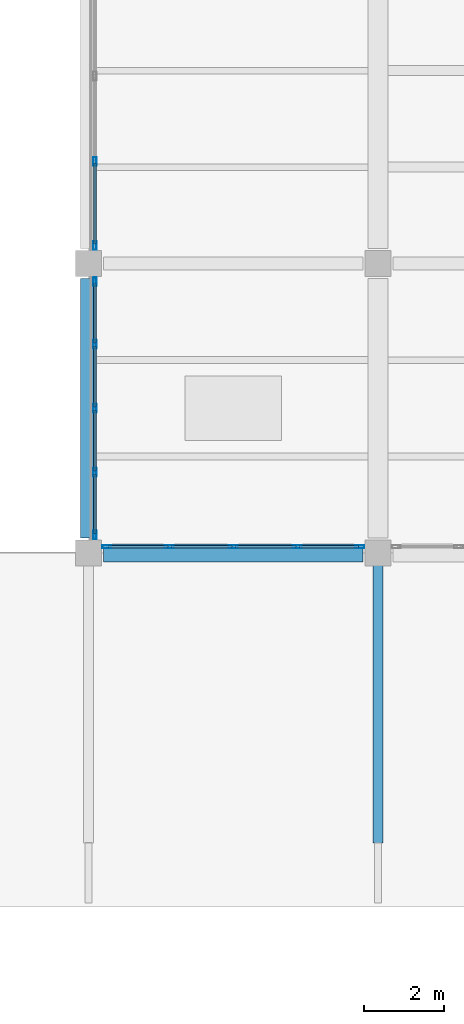
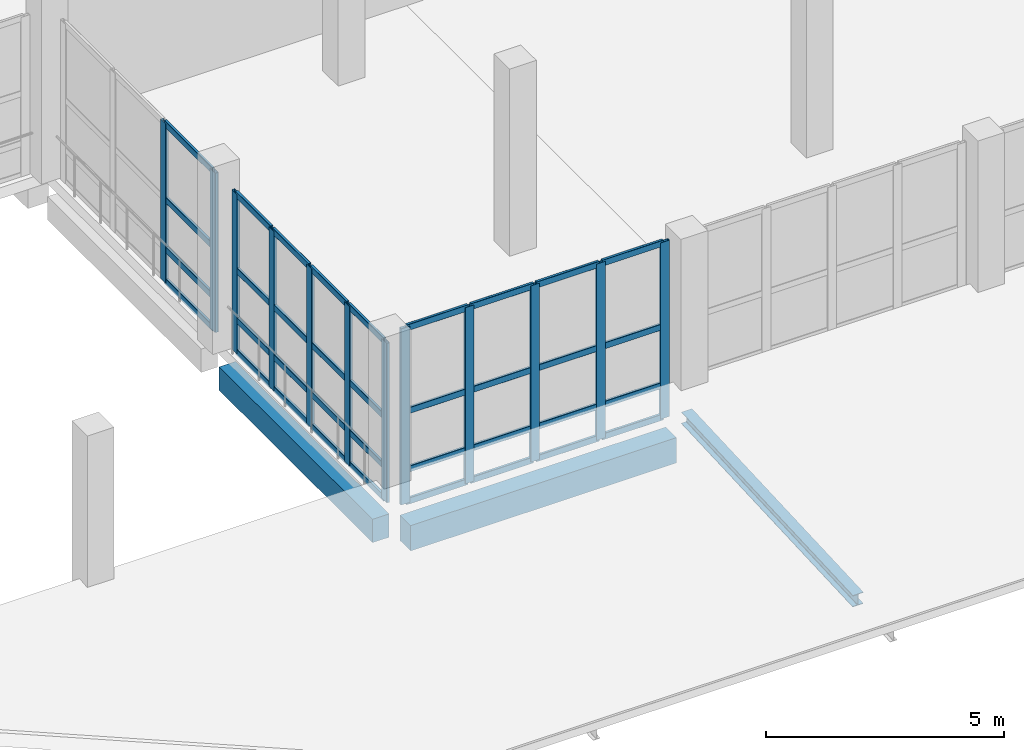
# One storey, part 27 of 127: 48 members, 3 beams, 3 elements without a shape of their own.
"""IFC4 building model written with IfcOpenShell, lengths in metres."""

from ifc_helpers import new_model, si_unit, direction, frame, origin, origin_2d, place, context, subcontext, project, spatial, rectangle, hollow_rectangle, i_section, extrude, material, material_profile, profile_set, type_object, element, aggregate, save


model = new_model("IFC4")

# Units and contexts
model_context = context("Model", 3, precision=1e-05, world=origin(), true_north=direction((0.0, 1.0)))
body_context = subcontext(model_context, "Body", "Model", "MODEL_VIEW")
ifc_project = project(units=[si_unit("LENGTHUNIT", "METRE"), si_unit("AREAUNIT", "SQUARE_METRE"), si_unit("VOLUMEUNIT", "CUBIC_METRE"), si_unit("PLANEANGLEUNIT", "RADIAN"), si_unit("MASSUNIT", "GRAM", prefix="KILO")], contexts=[model_context])

# Site, building, storey
site_placement = place(None, origin())
site = spatial("IfcSite", under=ifc_project, at=site_placement, CompositionType="ELEMENT")
building_placement = place(site_placement, origin())
building = spatial("IfcBuilding", under=site, at=building_placement, Name="Kalmorath City Hall", CompositionType="ELEMENT")
storey_placement = place(building_placement, frame((0.0, 0.0, 5.39990234375)))
storey = spatial("IfcBuildingStorey", under=building, at=storey_placement, Name="L01", CompositionType="ELEMENT", Elevation=5.39990234375)

# Beams
ifc_material_1 = material(Name="Concrete C40/50", Category="concrete")
ifc_material_profile_1 = material_profile(ifc_material_1, rectangle(XDim=0.39990234375, YDim=0.60009765625, at=origin_2d()), Name="RC-BM-400X600")
ifc_profile_set_1 = profile_set([ifc_material_profile_1], Name="Concrete C40/50")
beam_type_1 = type_object("IfcBeamType", Name="Concrete edge beam 400x600", PredefinedType="SPANDREL", material=ifc_profile_set_1)
beam_1_placement = place(storey_placement, frame((79.199951171875, 21.97509765625, -0.6240234375), z_axis=(0.0, 1.0, 0.0), x_axis=(-1.0, 0.0, 0.0)))
element("IfcBeam", 1, at=beam_1_placement, inside=storey, type_object=beam_type_1, Name="L01 girder CB6 Y12/4-5", PredefinedType="SPANDREL", context=body_context, shape_type="SweptSolid", body=[
    extrude(rectangle(XDim=0.39990234375, YDim=0.60009765625, at=origin_2d()), origin(), (0.0, 0.0, 1.0), 6.449951171875),
])
ifc_material_2 = material(Name="Concrete C40/50", Category="concrete")
ifc_material_profile_2 = material_profile(ifc_material_2, rectangle(XDim=0.449951171875, YDim=0.64990234375, at=origin_2d()), Name="RC-BM-450X650")
ifc_profile_set_2 = profile_set([ifc_material_profile_2], Name="Concrete C40/50")
beam_type_2 = type_object("IfcBeamType", Name="Concrete spandrel beam 450x650", PredefinedType="SPANDREL", material=ifc_profile_set_2)
beam_2_placement = place(storey_placement, frame((79.574951171875, 21.60009765625, -0.64892578125), z_axis=(1.0, 0.0, 0.0), x_axis=(0.0, 1.0, 0.0)))
element("IfcBeam", 2, at=beam_2_placement, inside=storey, type_object=beam_type_2, Name="L01 girder CB5 X12-13/4", PredefinedType="SPANDREL", context=body_context, shape_type="SweptSolid", body=[
    extrude(rectangle(XDim=0.449951171875, YDim=0.64990234375, at=origin_2d()), origin(), (0.0, 0.0, 1.0), 6.449951171875),
])

# Curtain wall, members
ifc_material_3 = material(Name="Anodised aluminium and laminated glass", Category="aluminium")
curtain_wall_type_1 = type_object("IfcCurtainWallType", Name="Unitised hurricane curtain wall 6370x4520 M1500", PredefinedType="NOTDEFINED", material=ifc_material_3)
curtain_wall_1_placement = place(storey_placement, origin())
curtain_wall_1 = element("IfcCurtainWall", 3, at=curtain_wall_1_placement, inside=storey, type_object=curtain_wall_type_1, Name="L01 curtain wall CW-64X45M15 #71", PredefinedType="NOTDEFINED")
ifc_material_4 = material(Name="Anodised aluminium framing", Category="aluminium")
ifc_material_profile_3 = material_profile(ifc_material_4, hollow_rectangle(XDim=0.074951171875, YDim=0.219970703125, WallThickness=0.00390625, InnerFilletRadius=0.00390625, OuterFilletRadius=0.008056640625, at=origin_2d()), Name="ALU-MUL-220X75X4")
ifc_profile_set_3 = profile_set([ifc_material_profile_3], Name="Anodised aluminium framing")
member_type_1 = type_object("IfcMemberType", Name="Curtain-wall primary mullion 220x75", PredefinedType="MULLION", material=ifc_profile_set_3)
member_1_placement = place(storey_placement, frame((85.947509765625, 21.760009765625, 0.0), z_axis=(0.0, 0.0, 1.0), x_axis=(0.0, -1.0, 0.0)))
member_1 = element("IfcMember", 4, at=member_1_placement, type_object=member_type_1, Name="CW-64X45M15 mullion 1", PredefinedType="MULLION", context=body_context, shape_type="SweptSolid", body=[
    extrude(hollow_rectangle(XDim=0.074951171875, YDim=0.219970703125, WallThickness=0.00390625, InnerFilletRadius=0.00390625, OuterFilletRadius=0.008056640625, at=origin_2d()), origin(), (0.0, 0.0, 1.0), 4.52001953125),
])
member_2_placement = place(storey_placement, frame((84.392578125, 21.760009765625, 0.0), z_axis=(0.0, 0.0, 1.0), x_axis=(0.0, -1.0, 0.0)))
member_2 = element("IfcMember", 5, at=member_2_placement, type_object=member_type_1, Name="CW-64X45M15 mullion 2", PredefinedType="MULLION", context=body_context, shape_type="SweptSolid", body=[
    extrude(hollow_rectangle(XDim=0.074951171875, YDim=0.219970703125, WallThickness=0.00390625, InnerFilletRadius=0.00390625, OuterFilletRadius=0.008056640625, at=origin_2d()), origin(), (0.0, 0.0, 1.0), 4.52001953125),
])
member_3_placement = place(storey_placement, frame((82.800048828125, 21.760009765625, 0.0), z_axis=(0.0, 0.0, 1.0), x_axis=(0.0, -1.0, 0.0)))
member_3 = element("IfcMember", 6, at=member_3_placement, type_object=member_type_1, Name="CW-64X45M15 mullion 3", PredefinedType="MULLION", context=body_context, shape_type="SweptSolid", body=[
    extrude(hollow_rectangle(XDim=0.074951171875, YDim=0.219970703125, WallThickness=0.00390625, InnerFilletRadius=0.00390625, OuterFilletRadius=0.008056640625, at=origin_2d()), origin(), (0.0, 0.0, 1.0), 4.52001953125),
])
member_4_placement = place(storey_placement, frame((81.20751953125, 21.760009765625, 0.0), z_axis=(0.0, 0.0, 1.0), x_axis=(0.0, -1.0, 0.0)))
member_4 = element("IfcMember", 7, at=member_4_placement, type_object=member_type_1, Name="CW-64X45M15 mullion 4", PredefinedType="MULLION", context=body_context, shape_type="SweptSolid", body=[
    extrude(hollow_rectangle(XDim=0.074951171875, YDim=0.219970703125, WallThickness=0.00390625, InnerFilletRadius=0.00390625, OuterFilletRadius=0.008056640625, at=origin_2d()), origin(), (0.0, 0.0, 1.0), 4.52001953125),
])
member_5_placement = place(storey_placement, frame((79.652587890625, 21.760009765625, 0.0), z_axis=(0.0, 0.0, 1.0), x_axis=(0.0, -1.0, 0.0)))
member_5 = element("IfcMember", 8, at=member_5_placement, type_object=member_type_1, Name="CW-64X45M15 mullion 5", PredefinedType="MULLION", context=body_context, shape_type="SweptSolid", body=[
    extrude(hollow_rectangle(XDim=0.074951171875, YDim=0.219970703125, WallThickness=0.00390625, InnerFilletRadius=0.00390625, OuterFilletRadius=0.008056640625, at=origin_2d()), origin(), (0.0, 0.0, 1.0), 4.52001953125),
])

ifc_material_5 = material(Name="Anodised aluminium and laminated glass", Category="aluminium")
curtain_wall_type_2 = type_object("IfcCurtainWallType", Name="Unitised hurricane curtain wall 6370x4090 M1500", PredefinedType="NOTDEFINED", material=ifc_material_5)
curtain_wall_2_placement = place(storey_placement, origin())
curtain_wall_2 = element("IfcCurtainWall", 9, at=curtain_wall_2_placement, inside=storey, type_object=curtain_wall_type_2, Name="L01 curtain wall CW-64X41M15 #72", PredefinedType="NOTDEFINED")
member_6_placement = place(storey_placement, frame((79.360107421875, 22.052490234375, 0.0), z_axis=(0.0, 0.0, 1.0), x_axis=(-1.0, 0.0, 0.0)))
member_6 = element("IfcMember", 10, at=member_6_placement, type_object=member_type_1, Name="CW-64X41M15 mullion 1", PredefinedType="MULLION", context=body_context, shape_type="SweptSolid", body=[
    extrude(hollow_rectangle(XDim=0.074951171875, YDim=0.219970703125, WallThickness=0.00390625, InnerFilletRadius=0.00390625, OuterFilletRadius=0.008056640625, at=origin_2d()), origin(), (0.0, 0.0, 1.0), 4.090087890625),
])
member_7_placement = place(storey_placement, frame((79.360107421875, 23.607421875, 0.0), z_axis=(0.0, 0.0, 1.0), x_axis=(-1.0, 0.0, 0.0)))
member_7 = element("IfcMember", 11, at=member_7_placement, type_object=member_type_1, Name="CW-64X41M15 mullion 2", PredefinedType="MULLION", context=body_context, shape_type="SweptSolid", body=[
    extrude(hollow_rectangle(XDim=0.074951171875, YDim=0.219970703125, WallThickness=0.00390625, InnerFilletRadius=0.00390625, OuterFilletRadius=0.008056640625, at=origin_2d()), origin(), (0.0, 0.0, 1.0), 4.090087890625),
])
member_8_placement = place(storey_placement, frame((79.360107421875, 25.199951171875, 0.0), z_axis=(0.0, 0.0, 1.0), x_axis=(-1.0, 0.0, 0.0)))
member_8 = element("IfcMember", 12, at=member_8_placement, type_object=member_type_1, Name="CW-64X41M15 mullion 3", PredefinedType="MULLION", context=body_context, shape_type="SweptSolid", body=[
    extrude(hollow_rectangle(XDim=0.074951171875, YDim=0.219970703125, WallThickness=0.00390625, InnerFilletRadius=0.00390625, OuterFilletRadius=0.008056640625, at=origin_2d()), origin(), (0.0, 0.0, 1.0), 4.090087890625),
])
member_9_placement = place(storey_placement, frame((79.360107421875, 26.79248046875, 0.0), z_axis=(0.0, 0.0, 1.0), x_axis=(-1.0, 0.0, 0.0)))
member_9 = element("IfcMember", 13, at=member_9_placement, type_object=member_type_1, Name="CW-64X41M15 mullion 4", PredefinedType="MULLION", context=body_context, shape_type="SweptSolid", body=[
    extrude(hollow_rectangle(XDim=0.074951171875, YDim=0.219970703125, WallThickness=0.00390625, InnerFilletRadius=0.00390625, OuterFilletRadius=0.008056640625, at=origin_2d()), origin(), (0.0, 0.0, 1.0), 4.090087890625),
])
member_10_placement = place(storey_placement, frame((79.360107421875, 28.347412109375, 0.0), z_axis=(0.0, 0.0, 1.0), x_axis=(-1.0, 0.0, 0.0)))
member_10 = element("IfcMember", 14, at=member_10_placement, type_object=member_type_1, Name="CW-64X41M15 mullion 5", PredefinedType="MULLION", context=body_context, shape_type="SweptSolid", body=[
    extrude(hollow_rectangle(XDim=0.074951171875, YDim=0.219970703125, WallThickness=0.00390625, InnerFilletRadius=0.00390625, OuterFilletRadius=0.008056640625, at=origin_2d()), origin(), (0.0, 0.0, 1.0), 4.090087890625),
])

ifc_material_6 = material(Name="Anodised aluminium and laminated glass", Category="aluminium")
curtain_wall_type_3 = type_object("IfcCurtainWallType", Name="Unitised hurricane curtain wall 6370x4090 M2100", PredefinedType="NOTDEFINED", material=ifc_material_6)
curtain_wall_3_placement = place(storey_placement, origin())
curtain_wall_3 = element("IfcCurtainWall", 15, at=curtain_wall_3_placement, inside=storey, type_object=curtain_wall_type_3, Name="L01 curtain wall CW-64X41M21 #73", PredefinedType="NOTDEFINED")
member_11_placement = place(storey_placement, frame((79.360107421875, 29.25244140625, 0.0), z_axis=(0.0, 0.0, 1.0), x_axis=(-1.0, 0.0, 0.0)))
member_11 = element("IfcMember", 16, at=member_11_placement, type_object=member_type_1, Name="CW-64X41M21 mullion 1", PredefinedType="MULLION", context=body_context, shape_type="SweptSolid", body=[
    extrude(hollow_rectangle(XDim=0.074951171875, YDim=0.219970703125, WallThickness=0.00390625, InnerFilletRadius=0.00390625, OuterFilletRadius=0.008056640625, at=origin_2d()), origin(), (0.0, 0.0, 1.0), 4.090087890625),
])
member_12_placement = place(storey_placement, frame((79.360107421875, 31.33837890625, 0.0), z_axis=(0.0, 0.0, 1.0), x_axis=(-1.0, 0.0, 0.0)))
member_12 = element("IfcMember", 17, at=member_12_placement, type_object=member_type_1, Name="CW-64X41M21 mullion 2", PredefinedType="MULLION", context=body_context, shape_type="SweptSolid", body=[
    extrude(hollow_rectangle(XDim=0.074951171875, YDim=0.219970703125, WallThickness=0.00390625, InnerFilletRadius=0.00390625, OuterFilletRadius=0.008056640625, at=origin_2d()), origin(), (0.0, 0.0, 1.0), 4.090087890625),
])

# Member
ifc_material_7 = material(Name="Anodised aluminium framing", Category="aluminium")
ifc_material_profile_4 = material_profile(ifc_material_7, hollow_rectangle(XDim=0.06494140625, YDim=0.159912109375, WallThickness=0.00390625, InnerFilletRadius=0.00390625, OuterFilletRadius=0.008056640625, at=origin_2d()), Name="ALU-TRN-160X65X4")
ifc_profile_set_4 = profile_set([ifc_material_profile_4], Name="Anodised aluminium framing")
member_type_2 = type_object("IfcMemberType", Name="Curtain-wall primary transom 160x65", PredefinedType="USERDEFINED", material=ifc_profile_set_4)
member_13_placement = place(storey_placement, frame((85.909912109375, 21.760009765625, 0.03271484375), z_axis=(-1.0, 0.0, 0.0), x_axis=(0.0, -1.0, 0.0)))
member_13 = element("IfcMember", 18, at=member_13_placement, type_object=member_type_2, Name="CW-64X45M15 transom 1.1", ObjectType="TRANSOM", PredefinedType="USERDEFINED", context=body_context, shape_type="SweptSolid", body=[
    extrude(hollow_rectangle(XDim=0.06494140625, YDim=0.159912109375, WallThickness=0.00390625, InnerFilletRadius=0.00390625, OuterFilletRadius=0.008056640625, at=origin_2d()), origin(), (0.0, 0.0, 1.0), 1.47998046875),
])

member_14_placement = place(storey_placement, frame((85.909912109375, 21.760009765625, 0.85009765625), z_axis=(-1.0, 0.0, 0.0), x_axis=(0.0, -1.0, 0.0)))
member_14 = element("IfcMember", 19, at=member_14_placement, type_object=member_type_2, Name="CW-64X45M15 transom 1.2", ObjectType="TRANSOM", PredefinedType="USERDEFINED", context=body_context, shape_type="SweptSolid", body=[
    extrude(hollow_rectangle(XDim=0.06494140625, YDim=0.159912109375, WallThickness=0.00390625, InnerFilletRadius=0.00390625, OuterFilletRadius=0.008056640625, at=origin_2d()), origin(), (0.0, 0.0, 1.0), 1.47998046875),
])

member_15_placement = place(storey_placement, frame((85.909912109375, 21.760009765625, 2.35009765625), z_axis=(-1.0, 0.0, 0.0), x_axis=(0.0, -1.0, 0.0)))
member_15 = element("IfcMember", 20, at=member_15_placement, type_object=member_type_2, Name="CW-64X45M15 transom 1.3", ObjectType="TRANSOM", PredefinedType="USERDEFINED", context=body_context, shape_type="SweptSolid", body=[
    extrude(hollow_rectangle(XDim=0.06494140625, YDim=0.159912109375, WallThickness=0.00390625, InnerFilletRadius=0.00390625, OuterFilletRadius=0.008056640625, at=origin_2d()), origin(), (0.0, 0.0, 1.0), 1.47998046875),
])

member_16_placement = place(storey_placement, frame((85.909912109375, 21.760009765625, 4.487548828125), z_axis=(-1.0, 0.0, 0.0), x_axis=(0.0, -1.0, 0.0)))
member_16 = element("IfcMember", 21, at=member_16_placement, type_object=member_type_2, Name="CW-64X45M15 transom 1.4", ObjectType="TRANSOM", PredefinedType="USERDEFINED", context=body_context, shape_type="SweptSolid", body=[
    extrude(hollow_rectangle(XDim=0.06494140625, YDim=0.159912109375, WallThickness=0.00390625, InnerFilletRadius=0.00390625, OuterFilletRadius=0.008056640625, at=origin_2d()), origin(), (0.0, 0.0, 1.0), 1.47998046875),
])

member_17_placement = place(storey_placement, frame((84.35498046875, 21.760009765625, 0.03271484375), z_axis=(-1.0, 0.0, 0.0), x_axis=(0.0, -1.0, 0.0)))
member_17 = element("IfcMember", 22, at=member_17_placement, type_object=member_type_2, Name="CW-64X45M15 transom 2.1", ObjectType="TRANSOM", PredefinedType="USERDEFINED", context=body_context, shape_type="SweptSolid", body=[
    extrude(hollow_rectangle(XDim=0.06494140625, YDim=0.159912109375, WallThickness=0.00390625, InnerFilletRadius=0.00390625, OuterFilletRadius=0.008056640625, at=origin_2d()), origin(), (0.0, 0.0, 1.0), 1.517578125),
])

member_18_placement = place(storey_placement, frame((84.35498046875, 21.760009765625, 0.85009765625), z_axis=(-1.0, 0.0, 0.0), x_axis=(0.0, -1.0, 0.0)))
member_18 = element("IfcMember", 23, at=member_18_placement, type_object=member_type_2, Name="CW-64X45M15 transom 2.2", ObjectType="TRANSOM", PredefinedType="USERDEFINED", context=body_context, shape_type="SweptSolid", body=[
    extrude(hollow_rectangle(XDim=0.06494140625, YDim=0.159912109375, WallThickness=0.00390625, InnerFilletRadius=0.00390625, OuterFilletRadius=0.008056640625, at=origin_2d()), origin(), (0.0, 0.0, 1.0), 1.517578125),
])

member_19_placement = place(storey_placement, frame((84.35498046875, 21.760009765625, 2.35009765625), z_axis=(-1.0, 0.0, 0.0), x_axis=(0.0, -1.0, 0.0)))
member_19 = element("IfcMember", 24, at=member_19_placement, type_object=member_type_2, Name="CW-64X45M15 transom 2.3", ObjectType="TRANSOM", PredefinedType="USERDEFINED", context=body_context, shape_type="SweptSolid", body=[
    extrude(hollow_rectangle(XDim=0.06494140625, YDim=0.159912109375, WallThickness=0.00390625, InnerFilletRadius=0.00390625, OuterFilletRadius=0.008056640625, at=origin_2d()), origin(), (0.0, 0.0, 1.0), 1.517578125),
])

member_20_placement = place(storey_placement, frame((84.35498046875, 21.760009765625, 4.487548828125), z_axis=(-1.0, 0.0, 0.0), x_axis=(0.0, -1.0, 0.0)))
member_20 = element("IfcMember", 25, at=member_20_placement, type_object=member_type_2, Name="CW-64X45M15 transom 2.4", ObjectType="TRANSOM", PredefinedType="USERDEFINED", context=body_context, shape_type="SweptSolid", body=[
    extrude(hollow_rectangle(XDim=0.06494140625, YDim=0.159912109375, WallThickness=0.00390625, InnerFilletRadius=0.00390625, OuterFilletRadius=0.008056640625, at=origin_2d()), origin(), (0.0, 0.0, 1.0), 1.517578125),
])

member_21_placement = place(storey_placement, frame((82.762451171875, 21.760009765625, 0.03271484375), z_axis=(-1.0, 0.0, 0.0), x_axis=(0.0, -1.0, 0.0)))
member_21 = element("IfcMember", 26, at=member_21_placement, type_object=member_type_2, Name="CW-64X45M15 transom 3.1", ObjectType="TRANSOM", PredefinedType="USERDEFINED", context=body_context, shape_type="SweptSolid", body=[
    extrude(hollow_rectangle(XDim=0.06494140625, YDim=0.159912109375, WallThickness=0.00390625, InnerFilletRadius=0.00390625, OuterFilletRadius=0.008056640625, at=origin_2d()), origin(), (0.0, 0.0, 1.0), 1.517333984375),
])

member_22_placement = place(storey_placement, frame((82.762451171875, 21.760009765625, 0.85009765625), z_axis=(-1.0, 0.0, 0.0), x_axis=(0.0, -1.0, 0.0)))
member_22 = element("IfcMember", 27, at=member_22_placement, type_object=member_type_2, Name="CW-64X45M15 transom 3.2", ObjectType="TRANSOM", PredefinedType="USERDEFINED", context=body_context, shape_type="SweptSolid", body=[
    extrude(hollow_rectangle(XDim=0.06494140625, YDim=0.159912109375, WallThickness=0.00390625, InnerFilletRadius=0.00390625, OuterFilletRadius=0.008056640625, at=origin_2d()), origin(), (0.0, 0.0, 1.0), 1.517333984375),
])

member_23_placement = place(storey_placement, frame((82.762451171875, 21.760009765625, 2.35009765625), z_axis=(-1.0, 0.0, 0.0), x_axis=(0.0, -1.0, 0.0)))
member_23 = element("IfcMember", 28, at=member_23_placement, type_object=member_type_2, Name="CW-64X45M15 transom 3.3", ObjectType="TRANSOM", PredefinedType="USERDEFINED", context=body_context, shape_type="SweptSolid", body=[
    extrude(hollow_rectangle(XDim=0.06494140625, YDim=0.159912109375, WallThickness=0.00390625, InnerFilletRadius=0.00390625, OuterFilletRadius=0.008056640625, at=origin_2d()), origin(), (0.0, 0.0, 1.0), 1.517333984375),
])

member_24_placement = place(storey_placement, frame((82.762451171875, 21.760009765625, 4.487548828125), z_axis=(-1.0, 0.0, 0.0), x_axis=(0.0, -1.0, 0.0)))
member_24 = element("IfcMember", 29, at=member_24_placement, type_object=member_type_2, Name="CW-64X45M15 transom 3.4", ObjectType="TRANSOM", PredefinedType="USERDEFINED", context=body_context, shape_type="SweptSolid", body=[
    extrude(hollow_rectangle(XDim=0.06494140625, YDim=0.159912109375, WallThickness=0.00390625, InnerFilletRadius=0.00390625, OuterFilletRadius=0.008056640625, at=origin_2d()), origin(), (0.0, 0.0, 1.0), 1.517333984375),
])

member_25_placement = place(storey_placement, frame((81.169921875, 21.760009765625, 0.03271484375), z_axis=(-1.0, 0.0, 0.0), x_axis=(0.0, -1.0, 0.0)))
member_25 = element("IfcMember", 30, at=member_25_placement, type_object=member_type_2, Name="CW-64X45M15 transom 4.1", ObjectType="TRANSOM", PredefinedType="USERDEFINED", context=body_context, shape_type="SweptSolid", body=[
    extrude(hollow_rectangle(XDim=0.06494140625, YDim=0.159912109375, WallThickness=0.00390625, InnerFilletRadius=0.00390625, OuterFilletRadius=0.008056640625, at=origin_2d()), origin(), (0.0, 0.0, 1.0), 1.47998046875),
])

member_26_placement = place(storey_placement, frame((81.169921875, 21.760009765625, 0.85009765625), z_axis=(-1.0, 0.0, 0.0), x_axis=(0.0, -1.0, 0.0)))
member_26 = element("IfcMember", 31, at=member_26_placement, type_object=member_type_2, Name="CW-64X45M15 transom 4.2", ObjectType="TRANSOM", PredefinedType="USERDEFINED", context=body_context, shape_type="SweptSolid", body=[
    extrude(hollow_rectangle(XDim=0.06494140625, YDim=0.159912109375, WallThickness=0.00390625, InnerFilletRadius=0.00390625, OuterFilletRadius=0.008056640625, at=origin_2d()), origin(), (0.0, 0.0, 1.0), 1.47998046875),
])

member_27_placement = place(storey_placement, frame((81.169921875, 21.760009765625, 2.35009765625), z_axis=(-1.0, 0.0, 0.0), x_axis=(0.0, -1.0, 0.0)))
member_27 = element("IfcMember", 32, at=member_27_placement, type_object=member_type_2, Name="CW-64X45M15 transom 4.3", ObjectType="TRANSOM", PredefinedType="USERDEFINED", context=body_context, shape_type="SweptSolid", body=[
    extrude(hollow_rectangle(XDim=0.06494140625, YDim=0.159912109375, WallThickness=0.00390625, InnerFilletRadius=0.00390625, OuterFilletRadius=0.008056640625, at=origin_2d()), origin(), (0.0, 0.0, 1.0), 1.47998046875),
])

member_28_placement = place(storey_placement, frame((81.169921875, 21.760009765625, 4.487548828125), z_axis=(-1.0, 0.0, 0.0), x_axis=(0.0, -1.0, 0.0)))
member_28 = element("IfcMember", 33, at=member_28_placement, type_object=member_type_2, Name="CW-64X45M15 transom 4.4", ObjectType="TRANSOM", PredefinedType="USERDEFINED", context=body_context, shape_type="SweptSolid", body=[
    extrude(hollow_rectangle(XDim=0.06494140625, YDim=0.159912109375, WallThickness=0.00390625, InnerFilletRadius=0.00390625, OuterFilletRadius=0.008056640625, at=origin_2d()), origin(), (0.0, 0.0, 1.0), 1.47998046875),
])

aggregate(curtain_wall_1, [member_1, member_2, member_3, member_4, member_5, member_13, member_14, member_15, member_16, member_17, member_18, member_19, member_20, member_21, member_22, member_23, member_24, member_25, member_26, member_27, member_28])

member_29_placement = place(storey_placement, frame((79.360107421875, 22.090087890625, 0.03271484375), z_axis=(0.0, 1.0, 0.0), x_axis=(-1.0, 0.0, 0.0)))
member_29 = element("IfcMember", 34, at=member_29_placement, type_object=member_type_2, Name="CW-64X41M15 transom 1.1", ObjectType="TRANSOM", PredefinedType="USERDEFINED", context=body_context, shape_type="SweptSolid", body=[
    extrude(hollow_rectangle(XDim=0.06494140625, YDim=0.159912109375, WallThickness=0.00390625, InnerFilletRadius=0.00390625, OuterFilletRadius=0.008056640625, at=origin_2d()), origin(), (0.0, 0.0, 1.0), 1.47998046875),
])

member_30_placement = place(storey_placement, frame((79.360107421875, 22.090087890625, 0.85009765625), z_axis=(0.0, 1.0, 0.0), x_axis=(-1.0, 0.0, 0.0)))
member_30 = element("IfcMember", 35, at=member_30_placement, type_object=member_type_2, Name="CW-64X41M15 transom 1.2", ObjectType="TRANSOM", PredefinedType="USERDEFINED", context=body_context, shape_type="SweptSolid", body=[
    extrude(hollow_rectangle(XDim=0.06494140625, YDim=0.159912109375, WallThickness=0.00390625, InnerFilletRadius=0.00390625, OuterFilletRadius=0.008056640625, at=origin_2d()), origin(), (0.0, 0.0, 1.0), 1.47998046875),
])

member_31_placement = place(storey_placement, frame((79.360107421875, 22.090087890625, 2.127197265625), z_axis=(0.0, 1.0, 0.0), x_axis=(-1.0, 0.0, 0.0)))
member_31 = element("IfcMember", 36, at=member_31_placement, type_object=member_type_2, Name="CW-64X41M15 transom 1.3", ObjectType="TRANSOM", PredefinedType="USERDEFINED", context=body_context, shape_type="SweptSolid", body=[
    extrude(hollow_rectangle(XDim=0.06494140625, YDim=0.159912109375, WallThickness=0.00390625, InnerFilletRadius=0.00390625, OuterFilletRadius=0.008056640625, at=origin_2d()), origin(), (0.0, 0.0, 1.0), 1.47998046875),
])

member_32_placement = place(storey_placement, frame((79.360107421875, 22.090087890625, 4.0576171875), z_axis=(0.0, 1.0, 0.0), x_axis=(-1.0, 0.0, 0.0)))
member_32 = element("IfcMember", 37, at=member_32_placement, type_object=member_type_2, Name="CW-64X41M15 transom 1.4", ObjectType="TRANSOM", PredefinedType="USERDEFINED", context=body_context, shape_type="SweptSolid", body=[
    extrude(hollow_rectangle(XDim=0.06494140625, YDim=0.159912109375, WallThickness=0.00390625, InnerFilletRadius=0.00390625, OuterFilletRadius=0.008056640625, at=origin_2d()), origin(), (0.0, 0.0, 1.0), 1.47998046875),
])

member_33_placement = place(storey_placement, frame((79.360107421875, 23.64501953125, 0.03271484375), z_axis=(0.0, 1.0, 0.0), x_axis=(-1.0, 0.0, 0.0)))
member_33 = element("IfcMember", 38, at=member_33_placement, type_object=member_type_2, Name="CW-64X41M15 transom 2.1", ObjectType="TRANSOM", PredefinedType="USERDEFINED", context=body_context, shape_type="SweptSolid", body=[
    extrude(hollow_rectangle(XDim=0.06494140625, YDim=0.159912109375, WallThickness=0.00390625, InnerFilletRadius=0.00390625, OuterFilletRadius=0.008056640625, at=origin_2d()), origin(), (0.0, 0.0, 1.0), 1.517578125),
])

member_34_placement = place(storey_placement, frame((79.360107421875, 23.64501953125, 0.85009765625), z_axis=(0.0, 1.0, 0.0), x_axis=(-1.0, 0.0, 0.0)))
member_34 = element("IfcMember", 39, at=member_34_placement, type_object=member_type_2, Name="CW-64X41M15 transom 2.2", ObjectType="TRANSOM", PredefinedType="USERDEFINED", context=body_context, shape_type="SweptSolid", body=[
    extrude(hollow_rectangle(XDim=0.06494140625, YDim=0.159912109375, WallThickness=0.00390625, InnerFilletRadius=0.00390625, OuterFilletRadius=0.008056640625, at=origin_2d()), origin(), (0.0, 0.0, 1.0), 1.517578125),
])

member_35_placement = place(storey_placement, frame((79.360107421875, 23.64501953125, 2.127197265625), z_axis=(0.0, 1.0, 0.0), x_axis=(-1.0, 0.0, 0.0)))
member_35 = element("IfcMember", 40, at=member_35_placement, type_object=member_type_2, Name="CW-64X41M15 transom 2.3", ObjectType="TRANSOM", PredefinedType="USERDEFINED", context=body_context, shape_type="SweptSolid", body=[
    extrude(hollow_rectangle(XDim=0.06494140625, YDim=0.159912109375, WallThickness=0.00390625, InnerFilletRadius=0.00390625, OuterFilletRadius=0.008056640625, at=origin_2d()), origin(), (0.0, 0.0, 1.0), 1.517578125),
])

member_36_placement = place(storey_placement, frame((79.360107421875, 23.64501953125, 4.0576171875), z_axis=(0.0, 1.0, 0.0), x_axis=(-1.0, 0.0, 0.0)))
member_36 = element("IfcMember", 41, at=member_36_placement, type_object=member_type_2, Name="CW-64X41M15 transom 2.4", ObjectType="TRANSOM", PredefinedType="USERDEFINED", context=body_context, shape_type="SweptSolid", body=[
    extrude(hollow_rectangle(XDim=0.06494140625, YDim=0.159912109375, WallThickness=0.00390625, InnerFilletRadius=0.00390625, OuterFilletRadius=0.008056640625, at=origin_2d()), origin(), (0.0, 0.0, 1.0), 1.517578125),
])

member_37_placement = place(storey_placement, frame((79.360107421875, 25.237548828125, 0.03271484375), z_axis=(0.0, 1.0, 0.0), x_axis=(-1.0, 0.0, 0.0)))
member_37 = element("IfcMember", 42, at=member_37_placement, type_object=member_type_2, Name="CW-64X41M15 transom 3.1", ObjectType="TRANSOM", PredefinedType="USERDEFINED", context=body_context, shape_type="SweptSolid", body=[
    extrude(hollow_rectangle(XDim=0.06494140625, YDim=0.159912109375, WallThickness=0.00390625, InnerFilletRadius=0.00390625, OuterFilletRadius=0.008056640625, at=origin_2d()), origin(), (0.0, 0.0, 1.0), 1.517333984375),
])

member_38_placement = place(storey_placement, frame((79.360107421875, 25.237548828125, 0.85009765625), z_axis=(0.0, 1.0, 0.0), x_axis=(-1.0, 0.0, 0.0)))
member_38 = element("IfcMember", 43, at=member_38_placement, type_object=member_type_2, Name="CW-64X41M15 transom 3.2", ObjectType="TRANSOM", PredefinedType="USERDEFINED", context=body_context, shape_type="SweptSolid", body=[
    extrude(hollow_rectangle(XDim=0.06494140625, YDim=0.159912109375, WallThickness=0.00390625, InnerFilletRadius=0.00390625, OuterFilletRadius=0.008056640625, at=origin_2d()), origin(), (0.0, 0.0, 1.0), 1.517333984375),
])

member_39_placement = place(storey_placement, frame((79.360107421875, 25.237548828125, 2.127197265625), z_axis=(0.0, 1.0, 0.0), x_axis=(-1.0, 0.0, 0.0)))
member_39 = element("IfcMember", 44, at=member_39_placement, type_object=member_type_2, Name="CW-64X41M15 transom 3.3", ObjectType="TRANSOM", PredefinedType="USERDEFINED", context=body_context, shape_type="SweptSolid", body=[
    extrude(hollow_rectangle(XDim=0.06494140625, YDim=0.159912109375, WallThickness=0.00390625, InnerFilletRadius=0.00390625, OuterFilletRadius=0.008056640625, at=origin_2d()), origin(), (0.0, 0.0, 1.0), 1.517333984375),
])

member_40_placement = place(storey_placement, frame((79.360107421875, 25.237548828125, 4.0576171875), z_axis=(0.0, 1.0, 0.0), x_axis=(-1.0, 0.0, 0.0)))
member_40 = element("IfcMember", 45, at=member_40_placement, type_object=member_type_2, Name="CW-64X41M15 transom 3.4", ObjectType="TRANSOM", PredefinedType="USERDEFINED", context=body_context, shape_type="SweptSolid", body=[
    extrude(hollow_rectangle(XDim=0.06494140625, YDim=0.159912109375, WallThickness=0.00390625, InnerFilletRadius=0.00390625, OuterFilletRadius=0.008056640625, at=origin_2d()), origin(), (0.0, 0.0, 1.0), 1.517333984375),
])

member_41_placement = place(storey_placement, frame((79.360107421875, 26.830078125, 0.03271484375), z_axis=(0.0, 1.0, 0.0), x_axis=(-1.0, 0.0, 0.0)))
member_41 = element("IfcMember", 46, at=member_41_placement, type_object=member_type_2, Name="CW-64X41M15 transom 4.1", ObjectType="TRANSOM", PredefinedType="USERDEFINED", context=body_context, shape_type="SweptSolid", body=[
    extrude(hollow_rectangle(XDim=0.06494140625, YDim=0.159912109375, WallThickness=0.00390625, InnerFilletRadius=0.00390625, OuterFilletRadius=0.008056640625, at=origin_2d()), origin(), (0.0, 0.0, 1.0), 1.47998046875),
])

member_42_placement = place(storey_placement, frame((79.360107421875, 26.830078125, 0.85009765625), z_axis=(0.0, 1.0, 0.0), x_axis=(-1.0, 0.0, 0.0)))
member_42 = element("IfcMember", 47, at=member_42_placement, type_object=member_type_2, Name="CW-64X41M15 transom 4.2", ObjectType="TRANSOM", PredefinedType="USERDEFINED", context=body_context, shape_type="SweptSolid", body=[
    extrude(hollow_rectangle(XDim=0.06494140625, YDim=0.159912109375, WallThickness=0.00390625, InnerFilletRadius=0.00390625, OuterFilletRadius=0.008056640625, at=origin_2d()), origin(), (0.0, 0.0, 1.0), 1.47998046875),
])

member_43_placement = place(storey_placement, frame((79.360107421875, 26.830078125, 2.127197265625), z_axis=(0.0, 1.0, 0.0), x_axis=(-1.0, 0.0, 0.0)))
member_43 = element("IfcMember", 48, at=member_43_placement, type_object=member_type_2, Name="CW-64X41M15 transom 4.3", ObjectType="TRANSOM", PredefinedType="USERDEFINED", context=body_context, shape_type="SweptSolid", body=[
    extrude(hollow_rectangle(XDim=0.06494140625, YDim=0.159912109375, WallThickness=0.00390625, InnerFilletRadius=0.00390625, OuterFilletRadius=0.008056640625, at=origin_2d()), origin(), (0.0, 0.0, 1.0), 1.47998046875),
])

member_44_placement = place(storey_placement, frame((79.360107421875, 26.830078125, 4.0576171875), z_axis=(0.0, 1.0, 0.0), x_axis=(-1.0, 0.0, 0.0)))
member_44 = element("IfcMember", 49, at=member_44_placement, type_object=member_type_2, Name="CW-64X41M15 transom 4.4", ObjectType="TRANSOM", PredefinedType="USERDEFINED", context=body_context, shape_type="SweptSolid", body=[
    extrude(hollow_rectangle(XDim=0.06494140625, YDim=0.159912109375, WallThickness=0.00390625, InnerFilletRadius=0.00390625, OuterFilletRadius=0.008056640625, at=origin_2d()), origin(), (0.0, 0.0, 1.0), 1.47998046875),
])

aggregate(curtain_wall_2, [member_6, member_7, member_8, member_9, member_10, member_29, member_30, member_31, member_32, member_33, member_34, member_35, member_36, member_37, member_38, member_39, member_40, member_41, member_42, member_43, member_44])

member_45_placement = place(storey_placement, frame((79.360107421875, 29.2900390625, 0.03271484375), z_axis=(0.0, 1.0, 0.0), x_axis=(-1.0, 0.0, 0.0)))
member_45 = element("IfcMember", 50, at=member_45_placement, type_object=member_type_2, Name="CW-64X41M21 transom 1.1", ObjectType="TRANSOM", PredefinedType="USERDEFINED", context=body_context, shape_type="SweptSolid", body=[
    extrude(hollow_rectangle(XDim=0.06494140625, YDim=0.159912109375, WallThickness=0.00390625, InnerFilletRadius=0.00390625, OuterFilletRadius=0.008056640625, at=origin_2d()), origin(), (0.0, 0.0, 1.0), 2.0107421875),
])

member_46_placement = place(storey_placement, frame((79.360107421875, 29.2900390625, 0.85009765625), z_axis=(0.0, 1.0, 0.0), x_axis=(-1.0, 0.0, 0.0)))
member_46 = element("IfcMember", 51, at=member_46_placement, type_object=member_type_2, Name="CW-64X41M21 transom 1.2", ObjectType="TRANSOM", PredefinedType="USERDEFINED", context=body_context, shape_type="SweptSolid", body=[
    extrude(hollow_rectangle(XDim=0.06494140625, YDim=0.159912109375, WallThickness=0.00390625, InnerFilletRadius=0.00390625, OuterFilletRadius=0.008056640625, at=origin_2d()), origin(), (0.0, 0.0, 1.0), 2.0107421875),
])

member_47_placement = place(storey_placement, frame((79.360107421875, 29.2900390625, 2.127197265625), z_axis=(0.0, 1.0, 0.0), x_axis=(-1.0, 0.0, 0.0)))
member_47 = element("IfcMember", 52, at=member_47_placement, type_object=member_type_2, Name="CW-64X41M21 transom 1.3", ObjectType="TRANSOM", PredefinedType="USERDEFINED", context=body_context, shape_type="SweptSolid", body=[
    extrude(hollow_rectangle(XDim=0.06494140625, YDim=0.159912109375, WallThickness=0.00390625, InnerFilletRadius=0.00390625, OuterFilletRadius=0.008056640625, at=origin_2d()), origin(), (0.0, 0.0, 1.0), 2.0107421875),
])

member_48_placement = place(storey_placement, frame((79.360107421875, 29.2900390625, 4.0576171875), z_axis=(0.0, 1.0, 0.0), x_axis=(-1.0, 0.0, 0.0)))
member_48 = element("IfcMember", 53, at=member_48_placement, type_object=member_type_2, Name="CW-64X41M21 transom 1.4", ObjectType="TRANSOM", PredefinedType="USERDEFINED", context=body_context, shape_type="SweptSolid", body=[
    extrude(hollow_rectangle(XDim=0.06494140625, YDim=0.159912109375, WallThickness=0.00390625, InnerFilletRadius=0.00390625, OuterFilletRadius=0.008056640625, at=origin_2d()), origin(), (0.0, 0.0, 1.0), 2.0107421875),
])

aggregate(curtain_wall_3, [member_11, member_12, member_45, member_46, member_47, member_48])

# Beam
ifc_material_8 = material(Name="Steel ASTM A992 Grade 50", Category="steel")
ifc_material_profile_5 = material_profile(ifc_material_8, i_section(OverallWidth=0.25390625, OverallDepth=0.305908203125, WebThickness=0.0087890625, FlangeThickness=0.0146484375, FilletRadius=0.014892578125, at=origin_2d()), Name="W12X53")
ifc_profile_set_5 = profile_set([ifc_material_profile_5], Name="Steel ASTM A992 Grade 50")
beam_type_3 = type_object("IfcBeamType", Name="Steel canopy beam W12X53", PredefinedType="BEAM", material=ifc_profile_set_5)
beam_3_placement = place(storey_placement, frame((86.39990234375, 14.39990234375, -0.3798828125), z_axis=(0.0, 0.998886377864, 0.047180548093), x_axis=(-1.0, 0.0, 0.0)))
element("IfcBeam", 54, at=beam_3_placement, inside=storey, type_object=beam_type_3, Name="Storm arcade canopy beam SJ11-8", PredefinedType="BEAM", context=body_context, shape_type="SweptSolid", body=[
    extrude(i_section(OverallWidth=0.25390625, OverallDepth=0.305908203125, WebThickness=0.0087890625, FlangeThickness=0.0146484375, FilletRadius=0.014892578125, at=origin_2d()), origin(), (0.0, 0.0, 1.0), 7.208251953125),
])

save(model, "model.ifc")
